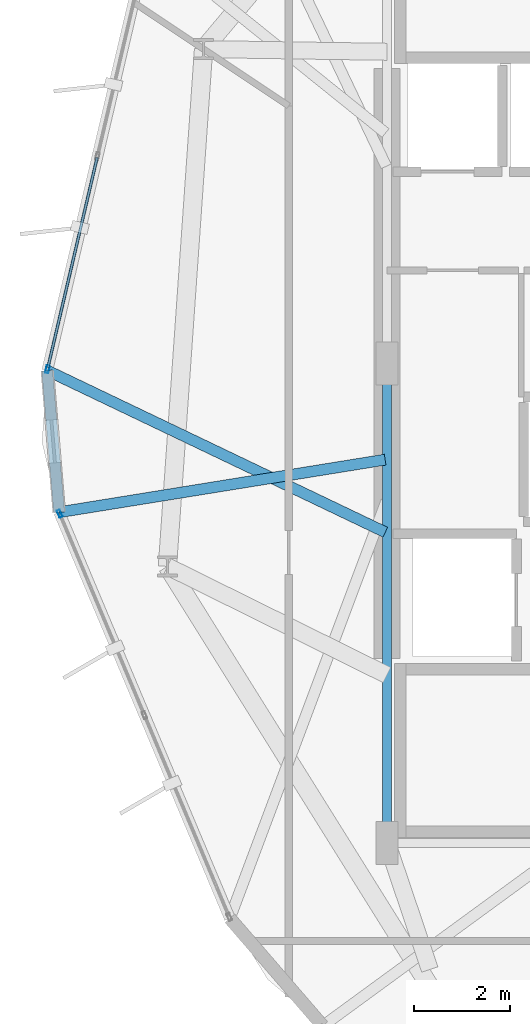
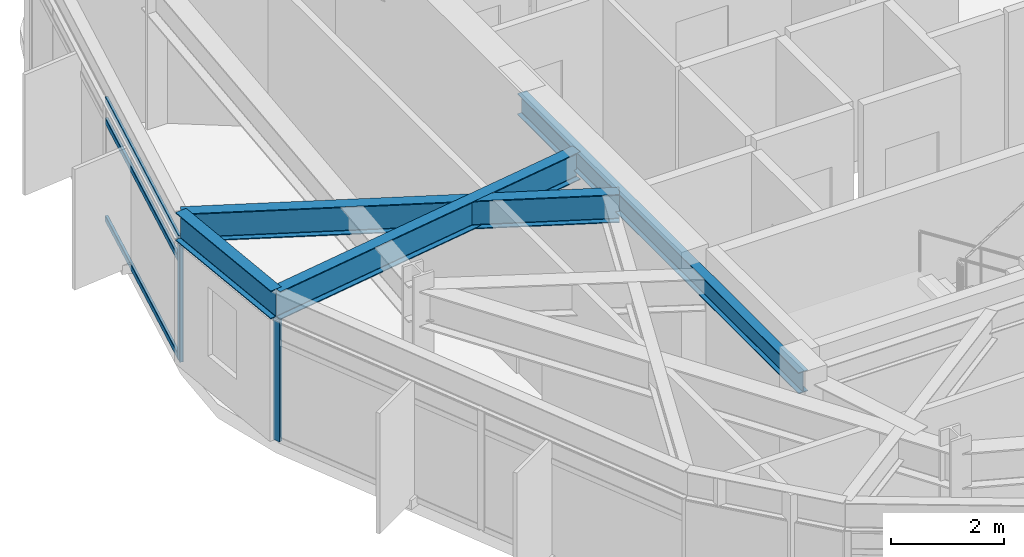
# One storey, part 7 of 27: 5 members, 4 beams, 2 elements without a shape of their own.
"""IFC4 building model written with IfcOpenShell, lengths in metres."""

import ifcopenshell
import ifcopenshell.guid

model = None  # the IFC model being written
_history = None  # IfcOwnerHistory: only IFC2X3 demands one
_inside = {}  # id of a spatial element -> (the spatial element, [elements in it])
_under = {}  # id of a project, library or spatial element -> (it, [spatial elements below it])
_declared = {}  # id of a project -> (the project, [libraries it declares])
_typed = {}  # id of a type object -> (the type object, [elements of that type])
_made_of = {}  # id of a material, layer set ... -> (it, [elements and type objects made of it])


def new_model(schema):
    """Start an empty IFC model of exactly this schema.

    Asked for "IFC4X3", IfcOpenShell would pick the latest addendum, in which some entities
    have other attributes; the version numbers below select the first issue.
    IFC2X3 requires an IfcOwnerHistory on every rooted entity: one is made here for all.
    """
    global model, _history
    if schema == "IFC4X3":
        model = ifcopenshell.file(schema_version=(4, 3, 0, 0))
    else:
        model = ifcopenshell.file(schema=schema)
    _inside.clear()
    _under.clear()
    _declared.clear()
    _typed.clear()
    _made_of.clear()
    _history = None
    if model.schema == "IFC2X3":
        org = make("IfcOrganization", Name="unknown")
        user = make(
            "IfcPersonAndOrganization",
            ThePerson=make("IfcPerson", FamilyName="unknown"),
            TheOrganization=org,
        )
        app = make(
            "IfcApplication",
            ApplicationDeveloper=org,
            Version="unknown",
            ApplicationFullName="unknown",
            ApplicationIdentifier="unknown",
        )
        _history = make(
            "IfcOwnerHistory",
            OwningUser=user,
            OwningApplication=app,
            ChangeAction="ADDED",
            CreationDate=0,
        )
    return model


def make(cls, **values):
    """One entity of the class cls with the attributes given. An attribute that is None is left unset."""
    return model.create_entity(
        cls, **{name: value for name, value in values.items() if value is not None}
    )


def rooted(cls, **values):
    """An entity with a GlobalId (a new one), such as an element, a storey or a relation."""
    return make(cls, GlobalId=ifcopenshell.guid.new(), OwnerHistory=_history, **values)


def si_unit(unit_type, name, prefix=None):
    """IfcSIUnit, for example si_unit("LENGTHUNIT", "METRE", prefix="MILLI")."""
    return make("IfcSIUnit", UnitType=unit_type, Prefix=prefix, Name=name)


def assignment(units):
    """IfcUnitAssignment: the units of a project."""
    return None if units is None else make("IfcUnitAssignment", Units=units)


def point(xyz):
    """IfcCartesianPoint."""
    return None if xyz is None else make("IfcCartesianPoint", Coordinates=xyz)


def direction(xyz):
    """IfcDirection."""
    return None if xyz is None else make("IfcDirection", DirectionRatios=xyz)


def frame(location, z_axis=None, x_axis=None):
    """IfcAxis2Placement3D, a coordinate frame: its origin and axes. An axis left out is left unset."""
    return make(
        "IfcAxis2Placement3D",
        Location=point(location),
        Axis=direction(z_axis),
        RefDirection=direction(x_axis),
    )


def frame_2d(location, x_axis=None):
    """IfcAxis2Placement2D, a coordinate frame in the plane: its origin and x axis."""
    return make(
        "IfcAxis2Placement2D", Location=point(location), RefDirection=direction(x_axis)
    )


def origin():
    """The frame at (0, 0, 0) with its axes left unset."""
    return frame((0.0, 0.0, 0.0))


def origin_2d():
    """The frame at (0, 0) in the plane with its x axis left unset."""
    return frame_2d((0.0, 0.0))


def place(relative_to, where):
    """IfcLocalPlacement: puts the frame where relative to a parent placement (None: the world)."""
    return make(
        "IfcLocalPlacement", PlacementRelTo=relative_to, RelativePlacement=where
    )


def context(
    kind, dimensions, precision=None, world=None, true_north=None, identifier=None
):
    """IfcGeometricRepresentationContext, for example the 3D "Model" context."""
    return make(
        "IfcGeometricRepresentationContext",
        ContextIdentifier=identifier,
        ContextType=kind,
        CoordinateSpaceDimension=dimensions,
        Precision=precision,
        WorldCoordinateSystem=world,
        TrueNorth=true_north,
    )


def subcontext(parent, identifier, kind, view, scale=None):
    """IfcGeometricRepresentationSubContext, for example "Body" below "Model"."""
    return make(
        "IfcGeometricRepresentationSubContext",
        ContextIdentifier=identifier,
        ContextType=kind,
        ParentContext=parent,
        TargetScale=scale,
        TargetView=view,
    )


def project(units=None, contexts=None):
    """IfcProject with its units and contexts."""
    return rooted(
        "IfcProject",
        Name="project",
        RepresentationContexts=contexts,
        UnitsInContext=assignment(units),
    )


def spatial(cls, under=None, at=None, **own):
    """A site, building, storey or space (cls), placed at a placement, below another one or the project."""
    s = rooted(cls, ObjectPlacement=at, **own)
    if under is not None:
        _under.setdefault(under.id(), (under, []))[1].append(s)
    return s


def profile(cls, at=None, kind="AREA", **sizes):
    """A parametric profile (cls). Its sizes go by their IFC names, for example OverallWidth=200.0."""
    return make(cls, ProfileType=kind, Position=at, **sizes)


def hollow_rectangle(**sizes):
    """IfcRectangleHollowProfileDef."""
    return profile("IfcRectangleHollowProfileDef", **sizes)


def i_section(**sizes):
    """IfcIShapeProfileDef."""
    return profile("IfcIShapeProfileDef", **sizes)


def extrude(swept, where, along, depth):
    """IfcExtrudedAreaSolid: the profile swept, set in the frame where, extruded along a direction by depth."""
    return make(
        "IfcExtrudedAreaSolid",
        SweptArea=swept,
        Position=where,
        ExtrudedDirection=direction(along),
        Depth=depth,
    )


def shape(context_of_items, identifier, shape_type, items):
    """IfcShapeRepresentation: the items that make up one representation, for example the "Body"."""
    return make(
        "IfcShapeRepresentation",
        ContextOfItems=context_of_items,
        RepresentationIdentifier=identifier,
        RepresentationType=shape_type,
        Items=items,
    )


def material(Name=None, Category=None):
    """IfcMaterial."""
    return make("IfcMaterial", Name=Name, Category=Category)


def layer(
    of_material, thickness, ventilated=None, Name=None, Category=None, Priority=None
):
    """IfcMaterialLayer: one layer of a wall or slab, of a material (None: an air gap)."""
    return make(
        "IfcMaterialLayer",
        Material=of_material,
        LayerThickness=thickness,
        IsVentilated=ventilated,
        Name=Name,
        Category=Category,
        Priority=Priority,
    )


def layer_set(layers, Name=None):
    """IfcMaterialLayerSet."""
    return make("IfcMaterialLayerSet", MaterialLayers=layers, LayerSetName=Name)


def material_profile(
    of_material, cross_section, Name=None, Category=None, Priority=None
):
    """IfcMaterialProfile: a cross section and its material."""
    return make(
        "IfcMaterialProfile",
        Name=Name,
        Material=of_material,
        Profile=cross_section,
        Priority=Priority,
        Category=Category,
    )


def profile_set(profiles, Name=None, composite=None):
    """IfcMaterialProfileSet."""
    return make(
        "IfcMaterialProfileSet",
        Name=Name,
        MaterialProfiles=profiles,
        CompositeProfile=composite,
    )


def made_of(thing, what):
    """Note that an element or type object is made of a material, layer set ...; save() writes the relation."""
    if what is not None:
        _made_of.setdefault(what.id(), (what, []))[1].append(thing)
    return thing


def type_object(cls, material=None, **own):
    """A type object (cls), such as IfcWallType, which elements share."""
    return made_of(rooted(cls, **own), material)


def element(
    cls,
    number,
    at=None,
    inside=None,
    cuts=None,
    type_object=None,
    material=None,
    context=None,
    identifier="Body",
    shape_type=None,
    held_by="IfcProductDefinitionShape",
    body=None,
    shapes=None,
    **own,
):
    """One element of the class cls, such as IfcWall. Its Tag is "e" and its number.

    at: its placement. inside: the storey or other place that contains it. cuts: it is an
    opening in that element (IfcRelVoidsElement). A single representation is given by context,
    identifier, shape_type and body (its items); several are given by shapes. held_by: the class
    of the entity that holds the representations. save() writes the other relations.
    """
    e = rooted(cls, Tag="e%d" % number, ObjectPlacement=at, **own)
    if body is not None:
        shapes = [shape(context, identifier, shape_type, body)]
    if shapes is not None:
        e.Representation = make(held_by, Representations=shapes)
    if inside is not None:
        _inside.setdefault(inside.id(), (inside, []))[1].append(e)
    if cuts is not None:
        rooted(
            "IfcRelVoidsElement", RelatingBuildingElement=cuts, RelatedOpeningElement=e
        )
    if type_object is not None:
        _typed.setdefault(type_object.id(), (type_object, []))[1].append(e)
    return made_of(e, material)


def aggregate(whole, parts):
    """IfcRelAggregates: a whole, such as a stair, and the parts it consists of."""
    return rooted("IfcRelAggregates", RelatingObject=whole, RelatedObjects=parts)


def save(model, path):
    """Write the relations noted so far, then the file.

    IfcRelAggregates (storeys below a building ...), IfcRelContainedInSpatialStructure (elements
    in a storey), IfcRelDefinesByType, IfcRelAssociatesMaterial and IfcRelDeclares: one each for
    every whole, place, type object, material and project.
    """
    for whole, parts in _under.values():
        aggregate(whole, parts)
    for where, things in _inside.values():
        rooted(
            "IfcRelContainedInSpatialStructure",
            RelatedElements=things,
            RelatingStructure=where,
        )
    for kind, things in _typed.values():
        rooted("IfcRelDefinesByType", RelatedObjects=things, RelatingType=kind)
    for what, things in _made_of.values():
        rooted("IfcRelAssociatesMaterial", RelatedObjects=things, RelatingMaterial=what)
    for by, libraries in _declared.values():
        rooted("IfcRelDeclares", RelatingContext=by, RelatedDefinitions=libraries)
    model.write(path)


model = new_model("IFC4")

# Units and contexts
model_context = context("Model", 3, precision=1e-05, world=origin(), true_north=direction((0.0, 1.0)))
body_context = subcontext(model_context, "Body", "Model", "MODEL_VIEW")
ifc_project = project(units=[si_unit("LENGTHUNIT", "METRE"), si_unit("AREAUNIT", "SQUARE_METRE"), si_unit("VOLUMEUNIT", "CUBIC_METRE"), si_unit("PLANEANGLEUNIT", "RADIAN"), si_unit("MASSUNIT", "GRAM", prefix="KILO")], contexts=[model_context])

# Site, building, storey
site_placement = place(None, origin())
site = spatial("IfcSite", under=ifc_project, at=site_placement, CompositionType="ELEMENT")
building_placement = place(site_placement, origin())
building = spatial("IfcBuilding", under=site, at=building_placement, Name="Soratama Intermodal Tower", CompositionType="ELEMENT")
storey_placement = place(building_placement, frame((0.0, 0.0, 182.199951171875)))
storey = spatial("IfcBuildingStorey", under=building, at=storey_placement, Name="L45", CompositionType="ELEMENT", Elevation=182.199951171875)

# Beams
ifc_material_1 = material(Name="Structural steel ASTM A992 Grade 50", Category="steel")
ifc_material_profile_1 = material_profile(ifc_material_1, i_section(OverallWidth=0.19091796875, OverallDepth=0.4599609375, WebThickness=0.010009765625, FlangeThickness=0.01611328125, FilletRadius=0.010986328125, at=origin_2d()), Name="W18X55")
ifc_profile_set_1 = profile_set([ifc_material_profile_1], Name="Structural steel ASTM A992 Grade 50")
beam_type_1 = type_object("IfcBeamType", Name="BM-FLR-W18X55", PredefinedType="BEAM", material=ifc_profile_set_1)
beam_1_placement = place(storey_placement, frame((32.60009765625, 25.0, 3.030029296875), z_axis=(0.0, -1.0, 0.0), x_axis=(1.0, 0.0, 0.0)))
element("IfcBeam", 1, at=beam_1_placement, inside=storey, type_object=beam_type_1, Name="BM-L45-CRING-09", PredefinedType="BEAM", context=body_context, shape_type="SweptSolid", body=[
    extrude(i_section(OverallWidth=0.19091796875, OverallDepth=0.4599609375, WebThickness=0.010009765625, FlangeThickness=0.01611328125, FilletRadius=0.010986328125, at=origin_2d()), origin(), (0.0, 0.0, 1.0), 10.0),
])
ifc_material_2 = material(Name="Structural steel ASTM A992 Grade 50", Category="steel")
ifc_material_profile_2 = material_profile(ifc_material_2, i_section(OverallWidth=0.22900390625, OverallDepth=0.612060546875, WebThickness=0.011962890625, FlangeThickness=0.01953125, FilletRadius=0.012939453125, at=origin_2d()), Name="W24X84")
ifc_profile_set_2 = profile_set([ifc_material_profile_2], Name="Structural steel ASTM A992 Grade 50")
beam_type_2 = type_object("IfcBeamType", Name="BM-SPN-W24X84", PredefinedType="SPANDREL", material=ifc_profile_set_2)
beam_2_placement = place(storey_placement, frame((25.511962890625, 24.85205078125, 2.9541015625), z_axis=(0.0839444864, -0.996470432679, 0.0), x_axis=(0.996470432679, 0.0839444864, 0.0)))
element("IfcBeam", 2, at=beam_2_placement, inside=storey, type_object=beam_type_2, Name="BS-L45-CRN04", PredefinedType="SPANDREL", context=body_context, shape_type="SweptSolid", body=[
    extrude(i_section(OverallWidth=0.22900390625, OverallDepth=0.612060546875, WebThickness=0.011962890625, FlangeThickness=0.01953125, FilletRadius=0.012939453125, at=origin_2d()), origin(), (0.0, 0.0, 1.0), 2.966552734375),
])
ifc_material_3 = material(Name="Structural steel ASTM A992 Grade 50", Category="steel")
ifc_material_profile_3 = material_profile(ifc_material_3, i_section(OverallWidth=0.22900390625, OverallDepth=0.612060546875, WebThickness=0.011962890625, FlangeThickness=0.01953125, FilletRadius=0.012939453125, at=origin_2d()), Name="W24X84")
ifc_profile_set_3 = profile_set([ifc_material_profile_3], Name="Structural steel ASTM A992 Grade 50")
beam_type_3 = type_object("IfcBeamType", Name="BM-TIE-W24X84", PredefinedType="BEAM", material=ifc_profile_set_3)
beam_3_placement = place(storey_placement, frame((32.56396484375, 21.47900390625, 2.9541015625), z_axis=(-0.902116779406, 0.431491965528, 0.0), x_axis=(-0.431491965528, -0.902116779406, 0.0)))
element("IfcBeam", 3, at=beam_3_placement, inside=storey, type_object=beam_type_3, Name="BM-L45-TIE1-04", PredefinedType="BEAM", context=body_context, shape_type="SweptSolid", body=[
    extrude(i_section(OverallWidth=0.22900390625, OverallDepth=0.612060546875, WebThickness=0.011962890625, FlangeThickness=0.01953125, FilletRadius=0.012939453125, at=origin_2d()), origin(), (0.0, 0.0, 1.0), 7.817138671875),
])
beam_4_placement = place(storey_placement, frame((32.56103515625, 22.992919921875, 2.9541015625), z_axis=(-0.987237885202, -0.159252497692, 0.0), x_axis=(0.159252497692, -0.987237885202, 0.0)))
element("IfcBeam", 4, at=beam_4_placement, inside=storey, type_object=beam_type_3, Name="BM-L45-TIE0-05", PredefinedType="BEAM", context=body_context, shape_type="SweptSolid", body=[
    extrude(i_section(OverallWidth=0.22900390625, OverallDepth=0.612060546875, WebThickness=0.011962890625, FlangeThickness=0.01953125, FilletRadius=0.012939453125, at=origin_2d()), origin(), (0.0, 0.0, 1.0), 6.887939453125),
])

# Curtain wall, member
ifc_material_4 = material(Name="Double-glazed aluminium curtain wall", Category="aluminium")
ifc_layer = layer(ifc_material_4, 0.159912109375)
ifc_layer_set = layer_set([ifc_layer], Name="Double-glazed aluminium curtain wall")
curtain_wall_type = type_object("IfcCurtainWallType", Name="CW-SYS-4", PredefinedType="NOTDEFINED", material=ifc_layer_set)
curtain_wall_1_placement = place(storey_placement, origin())
curtain_wall_1 = element("IfcCurtainWall", 5, at=curtain_wall_1_placement, inside=storey, type_object=curtain_wall_type, Name="L45 Faceted Curtain Wall F04", PredefinedType="NOTDEFINED")
ifc_material_5 = material(Name="Anodised aluminium AA 6063-T6", Category="aluminium")
ifc_material_profile_4 = material_profile(ifc_material_5, hollow_rectangle(XDim=0.070068359375, YDim=0.159912109375, WallThickness=0.0048828125, InnerFilletRadius=0.0048828125, OuterFilletRadius=0.010009765625, at=origin_2d()), Name="CWM160X70X5")
ifc_profile_set_4 = profile_set([ifc_material_profile_4], Name="Anodised aluminium AA 6063-T6")
member_type_1 = type_object("IfcMemberType", Name="MT-CWM-4", PredefinedType="MULLION", material=ifc_profile_set_4)
member_1_placement = place(storey_placement, frame((25.51904296875, 24.88134765625, 0.0), z_axis=(0.0, 0.0, 1.0), x_axis=(0.973578931262, -0.228350749076, 0.0)))
member_1 = element("IfcMember", 6, at=member_1_placement, type_object=member_type_1, Name="CW-4 mullion 3", PredefinedType="MULLION", context=body_context, shape_type="SweptSolid", body=[
    extrude(hollow_rectangle(XDim=0.070068359375, YDim=0.159912109375, WallThickness=0.0048828125, InnerFilletRadius=0.0048828125, OuterFilletRadius=0.010009765625, at=origin_2d()), origin(), (0.0, 0.0, 1.0), 2.63916015625),
])

curtain_wall_2_placement = place(storey_placement, origin())
curtain_wall_2 = element("IfcCurtainWall", 7, at=curtain_wall_2_placement, inside=storey, type_object=curtain_wall_type, Name="L45 Faceted Curtain Wall F05", PredefinedType="NOTDEFINED")
member_2_placement = place(storey_placement, frame((25.772216796875, 21.8681640625, 0.0), z_axis=(0.0, 0.0, 1.0), x_axis=(0.921860983025, 0.387520745221, 0.0)))
member_2 = element("IfcMember", 8, at=member_2_placement, type_object=member_type_1, Name="CW-4 mullion 1", PredefinedType="MULLION", context=body_context, shape_type="SweptSolid", body=[
    extrude(hollow_rectangle(XDim=0.070068359375, YDim=0.159912109375, WallThickness=0.0048828125, InnerFilletRadius=0.0048828125, OuterFilletRadius=0.010009765625, at=origin_2d()), origin(), (0.0, 0.0, 1.0), 2.63916015625),
])
aggregate(curtain_wall_2, [member_2])

# Member
ifc_material_6 = material(Name="Anodised aluminium AA 6063-T6", Category="aluminium")
ifc_material_profile_5 = material_profile(ifc_material_6, hollow_rectangle(XDim=0.06005859375, YDim=0.1298828125, WallThickness=0.0048828125, InnerFilletRadius=0.0048828125, OuterFilletRadius=0.010009765625, at=origin_2d()), Name="CWT130X60X5")
ifc_profile_set_5 = profile_set([ifc_material_profile_5], Name="Anodised aluminium AA 6063-T6")
member_type_2 = type_object("IfcMemberType", Name="TT-CWT-2", PredefinedType="USERDEFINED", material=ifc_profile_set_5)
member_3_placement = place(storey_placement, frame((26.554443359375, 29.295654296875, 0.030029296875), z_axis=(-0.228302110239, -0.97359033811, 0.0), x_axis=(0.97359033811, -0.228302110239, 0.0)))
member_3 = element("IfcMember", 9, at=member_3_placement, type_object=member_type_2, Name="CW-4 transom 2.1", ObjectType="TRANSOM", PredefinedType="USERDEFINED", context=body_context, shape_type="SweptSolid", body=[
    extrude(hollow_rectangle(XDim=0.06005859375, YDim=0.1298828125, WallThickness=0.0048828125, InnerFilletRadius=0.0048828125, OuterFilletRadius=0.010009765625, at=origin_2d()), origin(), (0.0, 0.0, 1.0), 4.504150390625),
])

member_4_placement = place(storey_placement, frame((26.554443359375, 29.295654296875, 2.150146484375), z_axis=(-0.228302110239, -0.97359033811, 0.0), x_axis=(0.97359033811, -0.228302110239, 0.0)))
member_4 = element("IfcMember", 10, at=member_4_placement, type_object=member_type_2, Name="CW-4 transom 2.2", ObjectType="TRANSOM", PredefinedType="USERDEFINED", context=body_context, shape_type="SweptSolid", body=[
    extrude(hollow_rectangle(XDim=0.06005859375, YDim=0.1298828125, WallThickness=0.0048828125, InnerFilletRadius=0.0048828125, OuterFilletRadius=0.010009765625, at=origin_2d()), origin(), (0.0, 0.0, 1.0), 4.504150390625),
])

member_5_placement = place(storey_placement, frame((26.554443359375, 29.295654296875, 2.609130859375), z_axis=(-0.228302110239, -0.97359033811, 0.0), x_axis=(0.97359033811, -0.228302110239, 0.0)))
member_5 = element("IfcMember", 11, at=member_5_placement, type_object=member_type_2, Name="CW-4 transom 2.3", ObjectType="TRANSOM", PredefinedType="USERDEFINED", context=body_context, shape_type="SweptSolid", body=[
    extrude(hollow_rectangle(XDim=0.06005859375, YDim=0.1298828125, WallThickness=0.0048828125, InnerFilletRadius=0.0048828125, OuterFilletRadius=0.010009765625, at=origin_2d()), origin(), (0.0, 0.0, 1.0), 4.504150390625),
])

aggregate(curtain_wall_1, [member_1, member_3, member_4, member_5])

save(model, "model.ifc")
